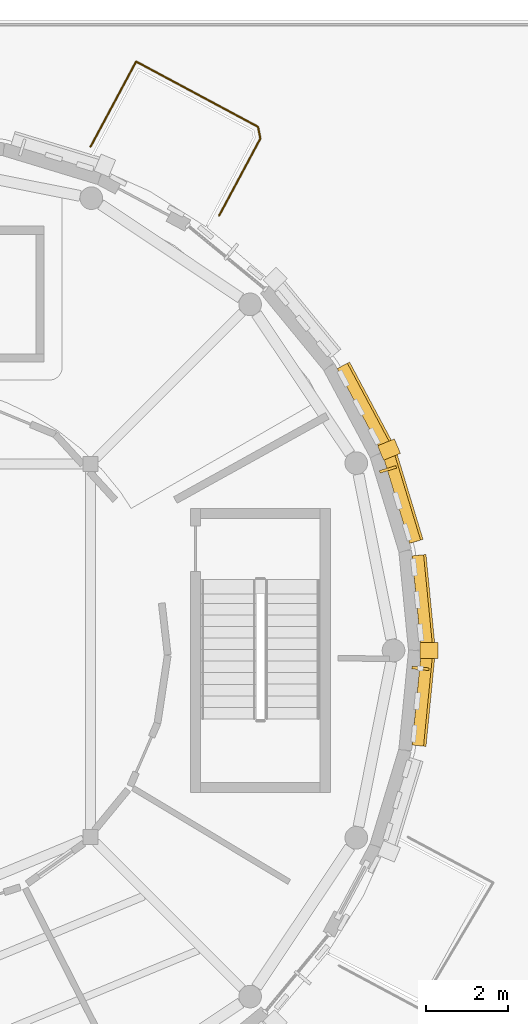
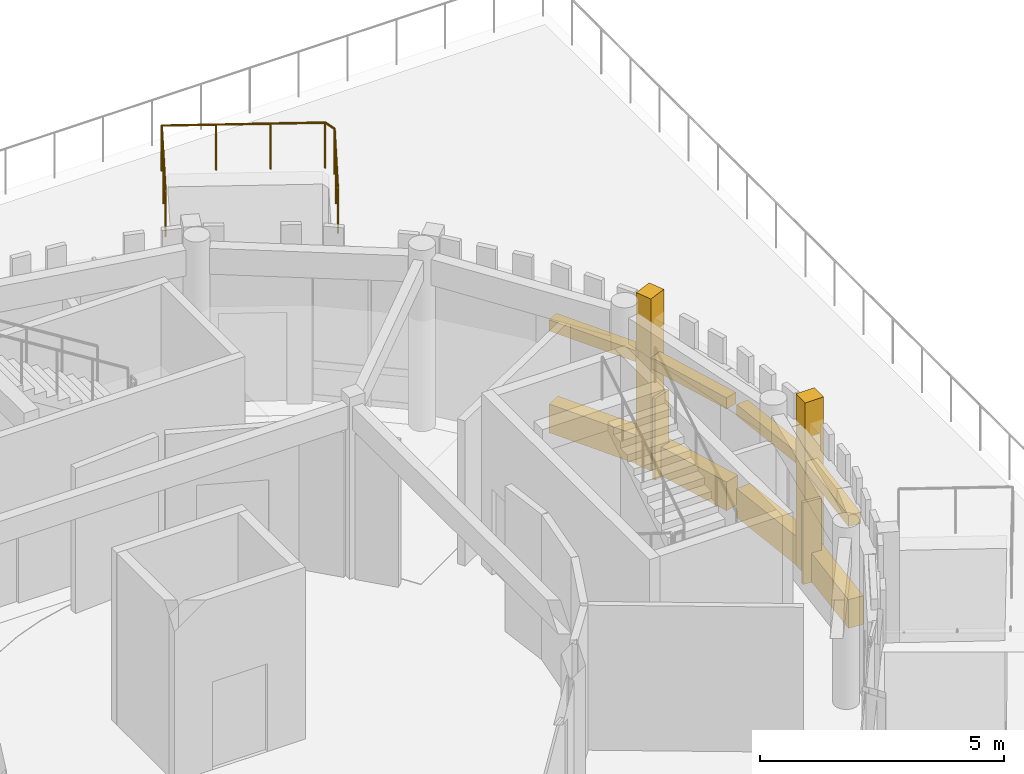
# One storey, part 94 of 94: 10 coverings, 2 shading devices, 1 railing.
"""IFC4 building model written with IfcOpenShell, lengths in metres."""

from ifc_helpers import new_model, si_unit, direction, frame, origin, origin_2d, place, context, subcontext, project, spatial, rectangle, circle, extrude, material, layer, layer_set, type_object, element, save


model = new_model("IFC4")

# Units and contexts
model_context = context("Model", 3, precision=1e-05, world=origin(), true_north=direction((0.0, 1.0)))
body_context = subcontext(model_context, "Body", "Model", "MODEL_VIEW")
ifc_project = project(units=[si_unit("LENGTHUNIT", "METRE"), si_unit("AREAUNIT", "SQUARE_METRE"), si_unit("VOLUMEUNIT", "CUBIC_METRE"), si_unit("PLANEANGLEUNIT", "RADIAN"), si_unit("MASSUNIT", "GRAM", prefix="KILO")], contexts=[model_context])

# Site, building, storey
site_placement = place(None, origin())
site = spatial("IfcSite", under=ifc_project, at=site_placement, CompositionType="ELEMENT")
building_placement = place(site_placement, origin())
building = spatial("IfcBuilding", under=site, at=building_placement, Name="Aldenvaro Health Centre", CompositionType="ELEMENT")
storey_placement = place(building_placement, origin())
storey = spatial("IfcBuildingStorey", under=building, at=storey_placement, Name="L00", CompositionType="ELEMENT", Elevation=0.0)

# Coverings
ifc_material_1 = material(Name="Honed Sonoran Buff Limestone", Category="masonry")
ifc_layer = layer(ifc_material_1, 0.280029296875, Name="Honed Sonoran Buff Limestone", Category="masonry")
ifc_layer_set = layer_set([ifc_layer], Name="Honed Sonoran Buff Limestone")
covering_type = type_object("IfcCoveringType", Name="COV-CRN-STN", PredefinedType="CLADDING", material=ifc_layer_set)
covering_1_placement = place(storey_placement, frame((167.10400390625, 98.259033203125, 0.0), z_axis=(0.0, 0.0, 1.0), x_axis=(-0.097914988926, -0.995194782414, 0.0)))
element("IfcCovering", 1, at=covering_1_placement, inside=storey, type_object=covering_type, Name="D2 L00 Rusticated Limestone Plinth 1.1", PredefinedType="CLADDING", context=body_context, shape_type="SweptSolid", body=[
    extrude(rectangle(XDim=2.15087890625, YDim=0.340087890625, at=origin_2d()), origin(), (0.0, 0.0, 1.0), 0.719970703125),
])
covering_2_placement = place(storey_placement, frame((167.074951171875, 98.261962890625, 2.5498046875), z_axis=(0.0, 0.0, 1.0), x_axis=(-0.097914988926, -0.995194782414, 0.0)))
element("IfcCovering", 2, at=covering_2_placement, inside=storey, type_object=covering_type, Name="D2 L00 Rusticated Limestone Plinth 1.2", PredefinedType="CLADDING", context=body_context, shape_type="SweptSolid", body=[
    extrude(rectangle(XDim=2.15087890625, YDim=0.280029296875, at=origin_2d()), origin(), (0.0, 0.0, 1.0), 0.280029296875),
])
covering_3_placement = place(storey_placement, frame((167.239990234375, 99.5, -0.00048828125), z_axis=(0.0, 0.0, 1.0), x_axis=(1.0, 0.0, 0.0)))
element("IfcCovering", 3, at=covering_3_placement, inside=storey, type_object=covering_type, Name="D2 L00 Engaged Classical Limestone Pilaster 01", PredefinedType="CLADDING", context=body_context, shape_type="SweptSolid", body=[
    extrude(rectangle(XDim=0.43994140625, YDim=0.3798828125, at=origin_2d()), origin(), (0.0, 0.0, 1.0), 4.304931640625),
])
covering_4_placement = place(storey_placement, frame((165.669921875, 105.469970703125, 0.0), z_axis=(0.0, 0.0, 1.0), x_axis=(0.471399336159, -0.881919874971, 0.0)))
element("IfcCovering", 4, at=covering_4_placement, inside=storey, type_object=covering_type, Name="D2 L00 Rusticated Limestone Plinth 30.1", PredefinedType="CLADDING", context=body_context, shape_type="SweptSolid", body=[
    extrude(rectangle(XDim=2.15087890625, YDim=0.340087890625, at=origin_2d()), origin(), (0.0, 0.0, 1.0), 0.719970703125),
])
covering_5_placement = place(storey_placement, frame((165.64306640625, 105.4560546875, 2.5498046875), z_axis=(0.0, 0.0, 1.0), x_axis=(0.471399336159, -0.881919874971, 0.0)))
element("IfcCovering", 5, at=covering_5_placement, inside=storey, type_object=covering_type, Name="D2 L00 Rusticated Limestone Plinth 30.2", PredefinedType="CLADDING", context=body_context, shape_type="SweptSolid", body=[
    extrude(rectangle(XDim=2.15087890625, YDim=0.280029296875, at=origin_2d()), origin(), (0.0, 0.0, 1.0), 0.280029296875),
])
covering_6_placement = place(storey_placement, frame((166.6201171875, 103.176025390625, 0.0), z_axis=(0.0, 0.0, 1.0), x_axis=(0.290441245116, -0.956892827403, 0.0)))
element("IfcCovering", 6, at=covering_6_placement, inside=storey, type_object=covering_type, Name="D2 L00 Rusticated Limestone Plinth 31.1", PredefinedType="CLADDING", context=body_context, shape_type="SweptSolid", body=[
    extrude(rectangle(XDim=2.15087890625, YDim=0.340087890625, at=origin_2d()), origin(), (0.0, 0.0, 1.0), 0.719970703125),
])
covering_7_placement = place(storey_placement, frame((166.591064453125, 103.16796875, 2.5498046875), z_axis=(0.0, 0.0, 1.0), x_axis=(0.290441245116, -0.956892827403, 0.0)))
element("IfcCovering", 7, at=covering_7_placement, inside=storey, type_object=covering_type, Name="D2 L00 Rusticated Limestone Plinth 31.2", PredefinedType="CLADDING", context=body_context, shape_type="SweptSolid", body=[
    extrude(rectangle(XDim=2.15087890625, YDim=0.280029296875, at=origin_2d()), origin(), (0.0, 0.0, 1.0), 0.280029296875),
])
covering_8_placement = place(storey_placement, frame((166.27001953125, 104.375, -0.00048828125), z_axis=(0.0, 0.0, 1.0), x_axis=(0.923886106593, 0.382667560743, 0.0)))
element("IfcCovering", 8, at=covering_8_placement, inside=storey, type_object=covering_type, Name="D2 L00 Engaged Classical Limestone Pilaster 16", PredefinedType="CLADDING", context=body_context, shape_type="SweptSolid", body=[
    extrude(rectangle(XDim=0.43994140625, YDim=0.3798828125, at=origin_2d()), origin(), (0.0, 0.0, 1.0), 4.304931640625),
])
covering_9_placement = place(storey_placement, frame((167.10400390625, 100.740966796875, 0.0), z_axis=(0.0, 0.0, 1.0), x_axis=(0.097914988926, -0.995194782414, 0.0)))
element("IfcCovering", 9, at=covering_9_placement, inside=storey, type_object=covering_type, Name="D2 L00 Rusticated Limestone Plinth 32.1", PredefinedType="CLADDING", context=body_context, shape_type="SweptSolid", body=[
    extrude(rectangle(XDim=2.15087890625, YDim=0.340087890625, at=origin_2d()), origin(), (0.0, 0.0, 1.0), 0.719970703125),
])
covering_10_placement = place(storey_placement, frame((167.074951171875, 100.738037109375, 2.5498046875), z_axis=(0.0, 0.0, 1.0), x_axis=(0.097914988926, -0.995194782414, 0.0)))
element("IfcCovering", 10, at=covering_10_placement, inside=storey, type_object=covering_type, Name="D2 L00 Rusticated Limestone Plinth 32.2", PredefinedType="CLADDING", context=body_context, shape_type="SweptSolid", body=[
    extrude(rectangle(XDim=2.15087890625, YDim=0.280029296875, at=origin_2d()), origin(), (0.0, 0.0, 1.0), 0.280029296875),
])

# Railing
ifc_material_2 = material(Name="Painted Architectural Steel", Category="steel")
railing_type = type_object("IfcRailingType", Name="RL-BAL-115", PredefinedType="GUARDRAIL", material=ifc_material_2)
railing_placement = place(storey_placement, frame((162.14892578125, 110.054931640625, 3.75)))
element("IfcRailing", 11, at=railing_placement, inside=storey, type_object=railing_type, Name="Upper North Foothill Acropolis Bastion Terrace Classical Balustrade 30", PredefinedType="GUARDRAIL", context=body_context, shape_type="SweptSolid", body=[
    extrude(circle(Radius=0.02392578125, at=origin_2d()), frame((0.0, 0.0, 1.1357421875), z_axis=(0.471568894292, 0.881829222659, 0.0), x_axis=(-0.881829222659, 0.471568894292, 0.0)), (0.0, 0.0, 1.0), 2.118408203125),
    extrude(circle(Radius=0.02392578125, at=origin_2d()), frame((0.9990234375, 1.8681640625, 1.1357421875), z_axis=(-0.192557352264, 0.981285720924, 0.0), x_axis=(-0.981285720924, -0.192557352264, 0.0)), (0.0, 0.0, 1.0), 0.290283203125),
    extrude(circle(Radius=0.02392578125, at=origin_2d()), frame((0.943115234375, 2.153076171875, 1.1357421875), z_axis=(-0.88162699632, 0.471946860737, 0.0), x_axis=(-0.471946860737, -0.88162699632, 0.0)), (0.0, 0.0, 1.0), 3.356201171875),
    extrude(circle(Radius=0.02392578125, at=origin_2d()), frame((-2.015869140625, 3.737060546875, 1.1357421875), z_axis=(-0.471614598983, -0.881804779997, 0.0), x_axis=(0.881804779997, -0.471614598983, 0.0)), (0.0, 0.0, 1.0), 2.344970703125),
    extrude(circle(Radius=0.02099609375, at=origin_2d()), origin(), (0.0, 0.0, 1.0), 1.11181640625),
    extrude(circle(Radius=0.02099609375, at=origin_2d()), frame((0.49951171875, 0.93408203125, 0.0)), (0.0, 0.0, 1.0), 1.11181640625),
    extrude(circle(Radius=0.02099609375, at=origin_2d()), frame((0.9990234375, 1.8681640625, 0.0)), (0.0, 0.0, 1.0), 1.11181640625),
    extrude(circle(Radius=0.02099609375, at=origin_2d()), frame((0.943115234375, 2.153076171875, 0.0)), (0.0, 0.0, 1.0), 1.11181640625),
    extrude(circle(Radius=0.02099609375, at=origin_2d()), frame((-0.043212890625, 2.68115234375, 0.0)), (0.0, 0.0, 1.0), 1.11181640625),
    extrude(circle(Radius=0.02099609375, at=origin_2d()), frame((-1.029541015625, 3.208984375, 0.0)), (0.0, 0.0, 1.0), 1.11181640625),
    extrude(circle(Radius=0.02099609375, at=origin_2d()), frame((-2.015869140625, 3.737060546875, 0.0)), (0.0, 0.0, 1.0), 1.11181640625),
    extrude(circle(Radius=0.02099609375, at=origin_2d()), frame((-2.56884765625, 2.703125, 0.0)), (0.0, 0.0, 1.0), 1.11181640625),
    extrude(circle(Radius=0.02099609375, at=origin_2d()), frame((-3.121826171875, 1.669189453125, 0.0)), (0.0, 0.0, 1.0), 1.11181640625),
])

# Shading devices
ifc_material_3 = material(Name="Douglas Fir Exterior Glulam GL28h", Category="wood")
shading_device_type = type_object("IfcShadingDeviceType", Name="SHD-FIN-205", PredefinedType="USERDEFINED", material=ifc_material_3)
for number, where, z_axis, x_axis, name in (
    (12, (167.032958984375, 99.06494140625, -0.02001953125), (0.0, 0.0, 1.0), (-0.097914988926, -0.995194782414, 0.0), "D2 L00 Douglas fir fin 1.1"),
    (13, (166.2451171875, 103.89404296875, -0.02001953125), (0.0, 0.0, 1.0), (0.290441245116, -0.956892827403, 0.0), "D2 L00 Douglas fir fin 31.1"),
):
    element("IfcShadingDevice", number, at=place(storey_placement, frame(where, z_axis=z_axis, x_axis=x_axis)), inside=storey, type_object=shading_device_type, Name=name, ObjectType="FIN", PredefinedType="USERDEFINED", context=body_context, shape_type="SweptSolid", body=[
        extrude(rectangle(XDim=0.06494140625, YDim=0.419921875, at=origin_2d()), origin(), (0.0, 0.0, 1.0), 2.050048828125),
    ])

save(model, "model.ifc")
